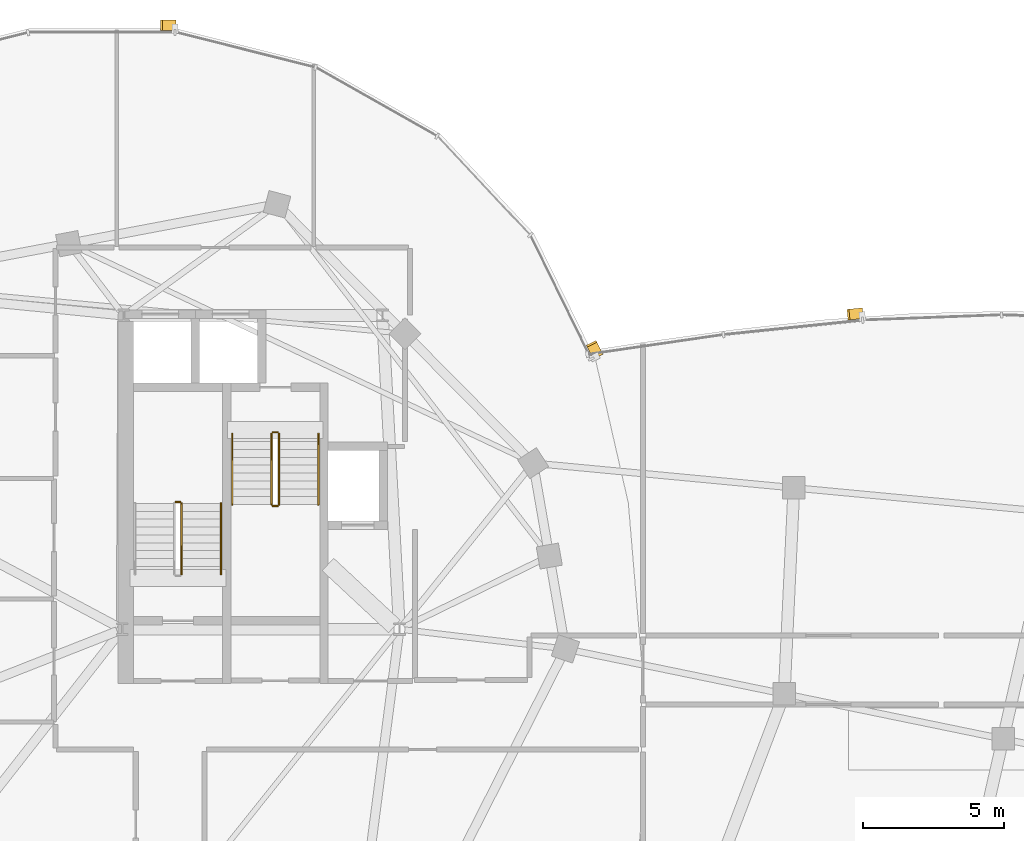
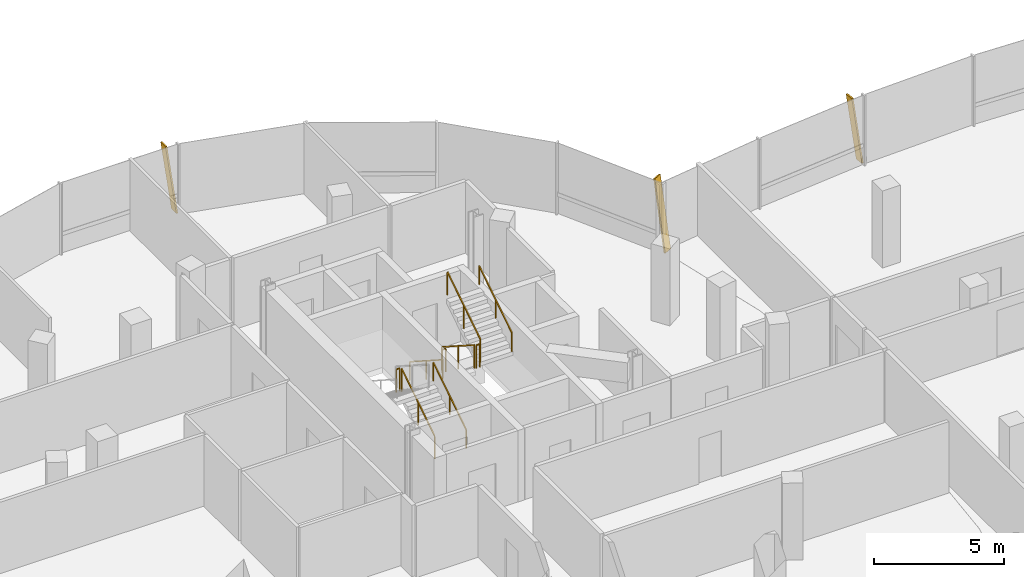
# One storey, part 24 of 26: 9 railings, 3 shading devices.
"""IFC4 building model written with IfcOpenShell, lengths in metres."""

from ifc_helpers import new_model, si_unit, direction, frame, origin, origin_2d, place, context, subcontext, project, spatial, rectangle, extrude, material, material_profile, profile_set, type_object, element, save


model = new_model("IFC4")

# Units and contexts
model_context = context("Model", 3, precision=1e-05, world=origin(), true_north=direction((0.0, 1.0)))
body_context = subcontext(model_context, "Body", "Model", "MODEL_VIEW")
ifc_project = project(units=[si_unit("LENGTHUNIT", "METRE"), si_unit("AREAUNIT", "SQUARE_METRE"), si_unit("VOLUMEUNIT", "CUBIC_METRE"), si_unit("PLANEANGLEUNIT", "RADIAN"), si_unit("MASSUNIT", "GRAM", prefix="KILO"), si_unit("THERMODYNAMICTEMPERATUREUNIT", "KELVIN"), si_unit("POWERUNIT", "WATT")], contexts=[model_context])

# Site, building, storey
site_placement = place(None, origin())
site = spatial("IfcSite", under=ifc_project, at=site_placement, CompositionType="ELEMENT")
building_placement = place(site_placement, origin())
building = spatial("IfcBuilding", under=site, at=building_placement, Name="Cundina Bronze Exchange", CompositionType="ELEMENT")
storey_placement = place(building_placement, frame((0.0, 0.0, 264.800048828125)))
storey = spatial("IfcBuildingStorey", under=building, at=storey_placement, Name="L70", CompositionType="ELEMENT", Elevation=264.800048828125)

# Railings
ifc_material_1 = material(Name="Steel ASTM A36 Painted", Category="steel")
railing_type_1 = type_object("IfcRailingType", Name="RLG-HND-900", PredefinedType="HANDRAIL", material=ifc_material_1)
railing_1_placement = place(storey_placement, frame((-27.7900390625, 5.85009765625, 0.179931640625)))
element("IfcRailing", 1, at=railing_1_placement, inside=storey, type_object=railing_type_1, Name="L70 ST-W1 stair handrail 1", PredefinedType="HANDRAIL", context=body_context, shape_type="SweptSolid", body=[
    extrude(rectangle(XDim=0.048095703125, YDim=0.048095703125, at=origin_2d()), frame((0.0, 0.0, 0.8759765625), z_axis=(0.0, 0.841162588446, 0.540782303519), x_axis=(-1.0, 0.0, 0.0)), (0.0, 0.0, 1.0), 2.995849609375),
    extrude(rectangle(XDim=0.0419921875, YDim=0.0419921875, at=origin_2d()), origin(), (0.0, 0.0, 1.0), 0.851806640625),
    extrude(rectangle(XDim=0.0419921875, YDim=0.0419921875, at=origin_2d()), frame((0.0, 1.260009765625, 0.81005859375)), (0.0, 0.0, 1.0), 0.851806640625),
    extrude(rectangle(XDim=0.0419921875, YDim=0.0419921875, at=origin_2d()), frame((0.0, 2.52001953125, 1.6201171875)), (0.0, 0.0, 1.0), 0.851806640625),
])
railing_2_placement = place(storey_placement, frame((-27.389892578125, 10.85009765625, 0.179931640625)))
element("IfcRailing", 2, at=railing_2_placement, inside=storey, type_object=railing_type_1, Name="L70 ST-W2 stair handrail 1", PredefinedType="HANDRAIL", context=body_context, shape_type="SweptSolid", body=[
    extrude(rectangle(XDim=0.048095703125, YDim=0.048095703125, at=origin_2d()), frame((0.0, 0.0, 0.8759765625), z_axis=(0.0, -0.841162588446, 0.540782303519), x_axis=(1.0, 0.0, 0.0)), (0.0, 0.0, 1.0), 2.995849609375),
    extrude(rectangle(XDim=0.0419921875, YDim=0.0419921875, at=origin_2d()), origin(), (0.0, 0.0, 1.0), 0.851806640625),
    extrude(rectangle(XDim=0.0419921875, YDim=0.0419921875, at=origin_2d()), frame((0.0, -1.260009765625, 0.81005859375)), (0.0, 0.0, 1.0), 0.851806640625),
    extrude(rectangle(XDim=0.0419921875, YDim=0.0419921875, at=origin_2d()), frame((0.0, -2.52001953125, 1.6201171875)), (0.0, 0.0, 1.0), 0.851806640625),
])
railing_3_placement = place(storey_placement, frame((-24.330078125, 8.330078125, 1.97998046875)))
element("IfcRailing", 3, at=railing_3_placement, inside=storey, type_object=railing_type_1, Name="L70 ST-W2 stair handrail 2", PredefinedType="HANDRAIL", context=body_context, shape_type="SweptSolid", body=[
    extrude(rectangle(XDim=0.048095703125, YDim=0.048095703125, at=origin_2d()), frame((0.0, 0.0, 0.8759765625), z_axis=(0.0, 0.841199657755, 0.540724639528), x_axis=(-1.0, 0.0, 0.0)), (0.0, 0.0, 1.0), 2.995849609375),
    extrude(rectangle(XDim=0.0419921875, YDim=0.0419921875, at=origin_2d()), origin(), (0.0, 0.0, 1.0), 0.851806640625),
    extrude(rectangle(XDim=0.0419921875, YDim=0.0419921875, at=origin_2d()), frame((0.0, 1.260009765625, 0.81005859375)), (0.0, 0.0, 1.0), 0.851806640625),
    extrude(rectangle(XDim=0.0419921875, YDim=0.0419921875, at=origin_2d()), frame((0.0, 2.52001953125, 1.619873046875)), (0.0, 0.0, 1.0), 0.851806640625),
])
railing_type_2 = type_object("IfcRailingType", Name="RLG-STG-1100", PredefinedType="GUARDRAIL", material=ifc_material_1)
railing_4_placement = place(storey_placement, frame((-29.18994140625, 5.85009765625, 0.179931640625)))
element("IfcRailing", 4, at=railing_4_placement, inside=storey, type_object=railing_type_2, Name="L70 ST-W1 stair guard 1", PredefinedType="GUARDRAIL", context=body_context, shape_type="SweptSolid", body=[
    extrude(rectangle(XDim=0.048095703125, YDim=0.048095703125, at=origin_2d()), frame((0.0, 0.0, 1.076171875), z_axis=(0.0, 0.841162588446, 0.540782303519), x_axis=(-1.0, 0.0, 0.0)), (0.0, 0.0, 1.0), 2.995849609375),
    extrude(rectangle(XDim=0.0419921875, YDim=0.0419921875, at=origin_2d()), origin(), (0.0, 0.0, 1.0), 1.052001953125),
    extrude(rectangle(XDim=0.0419921875, YDim=0.0419921875, at=origin_2d()), frame((0.0, 1.260009765625, 0.81005859375)), (0.0, 0.0, 1.0), 1.052001953125),
    extrude(rectangle(XDim=0.0419921875, YDim=0.0419921875, at=origin_2d()), frame((0.0, 2.52001953125, 1.6201171875)), (0.0, 0.0, 1.0), 1.052001953125),
])
railing_5_placement = place(storey_placement, frame((-29.239990234375, 8.419921875, 1.800048828125)))
element("IfcRailing", 5, at=railing_5_placement, inside=storey, type_object=railing_type_2, Name="L70 ST-W1 stair guard 2", PredefinedType="GUARDRAIL", context=body_context, shape_type="SweptSolid", body=[
    extrude(rectangle(XDim=0.048095703125, YDim=0.048095703125, at=origin_2d()), frame((0.0, 0.0, 1.076171875), z_axis=(-1.0, 0.0, 0.0), x_axis=(0.0, -1.0, 0.0)), (0.0, 0.0, 1.0), 0.159912109375),
    extrude(rectangle(XDim=0.0419921875, YDim=0.0419921875, at=origin_2d()), origin(), (0.0, 0.0, 1.0), 1.052001953125),
    extrude(rectangle(XDim=0.0419921875, YDim=0.0419921875, at=origin_2d()), frame((-0.159912109375, 0.0, 0.0)), (0.0, 0.0, 1.0), 1.052001953125),
])
railing_6_placement = place(storey_placement, frame((-25.989990234375, 10.85009765625, 0.179931640625)))
element("IfcRailing", 6, at=railing_6_placement, inside=storey, type_object=railing_type_2, Name="L70 ST-W2 stair guard 1", PredefinedType="GUARDRAIL", context=body_context, shape_type="SweptSolid", body=[
    extrude(rectangle(XDim=0.048095703125, YDim=0.048095703125, at=origin_2d()), frame((0.0, 0.0, 1.076171875), z_axis=(0.0, -0.841162588446, 0.540782303519), x_axis=(1.0, 0.0, 0.0)), (0.0, 0.0, 1.0), 2.995849609375),
    extrude(rectangle(XDim=0.0419921875, YDim=0.0419921875, at=origin_2d()), origin(), (0.0, 0.0, 1.0), 1.052001953125),
    extrude(rectangle(XDim=0.0419921875, YDim=0.0419921875, at=origin_2d()), frame((0.0, -1.260009765625, 0.81005859375)), (0.0, 0.0, 1.0), 1.052001953125),
    extrude(rectangle(XDim=0.0419921875, YDim=0.0419921875, at=origin_2d()), frame((0.0, -2.52001953125, 1.6201171875)), (0.0, 0.0, 1.0), 1.052001953125),
])
railing_7_placement = place(storey_placement, frame((-25.93994140625, 8.280029296875, 1.800048828125)))
element("IfcRailing", 7, at=railing_7_placement, inside=storey, type_object=railing_type_2, Name="L70 ST-W2 stair guard 2", PredefinedType="GUARDRAIL", context=body_context, shape_type="SweptSolid", body=[
    extrude(rectangle(XDim=0.048095703125, YDim=0.048095703125, at=origin_2d()), frame((0.0, 0.0, 1.076171875), z_axis=(1.0, 0.0, 0.0), x_axis=(0.0, 1.0, 0.0)), (0.0, 0.0, 1.0), 0.159912109375),
    extrude(rectangle(XDim=0.0419921875, YDim=0.0419921875, at=origin_2d()), origin(), (0.0, 0.0, 1.0), 1.052001953125),
    extrude(rectangle(XDim=0.0419921875, YDim=0.0419921875, at=origin_2d()), frame((0.159912109375, 0.0, 0.0)), (0.0, 0.0, 1.0), 1.052001953125),
])
railing_8_placement = place(storey_placement, frame((-25.72998046875, 8.330078125, 1.97998046875)))
element("IfcRailing", 8, at=railing_8_placement, inside=storey, type_object=railing_type_2, Name="L70 ST-W2 stair guard 3", PredefinedType="GUARDRAIL", context=body_context, shape_type="SweptSolid", body=[
    extrude(rectangle(XDim=0.048095703125, YDim=0.048095703125, at=origin_2d()), frame((0.0, 0.0, 1.076171875), z_axis=(0.0, 0.841199657755, 0.540724639528), x_axis=(-1.0, 0.0, 0.0)), (0.0, 0.0, 1.0), 2.995849609375),
    extrude(rectangle(XDim=0.0419921875, YDim=0.0419921875, at=origin_2d()), origin(), (0.0, 0.0, 1.0), 1.052001953125),
    extrude(rectangle(XDim=0.0419921875, YDim=0.0419921875, at=origin_2d()), frame((0.0, 1.260009765625, 0.81005859375)), (0.0, 0.0, 1.0), 1.052001953125),
    extrude(rectangle(XDim=0.0419921875, YDim=0.0419921875, at=origin_2d()), frame((0.0, 2.52001953125, 1.619873046875)), (0.0, 0.0, 1.0), 1.052001953125),
])
railing_9_placement = place(storey_placement, frame((-25.93994140625, 10.89990234375, 0.0)))
element("IfcRailing", 9, at=railing_9_placement, inside=storey, type_object=railing_type_2, Name="L70 ST-W2 stair guard 4", PredefinedType="GUARDRAIL", context=body_context, shape_type="SweptSolid", body=[
    extrude(rectangle(XDim=0.048095703125, YDim=0.048095703125, at=origin_2d()), frame((0.0, 0.0, 1.076171875), z_axis=(1.0, 0.0, 0.0), x_axis=(0.0, 1.0, 0.0)), (0.0, 0.0, 1.0), 0.159912109375),
    extrude(rectangle(XDim=0.0419921875, YDim=0.0419921875, at=origin_2d()), origin(), (0.0, 0.0, 1.0), 1.052001953125),
    extrude(rectangle(XDim=0.0419921875, YDim=0.0419921875, at=origin_2d()), frame((0.159912109375, 0.0, 0.0)), (0.0, 0.0, 1.0), 1.052001953125),
])

# Shading devices
ifc_material_2 = material(Name="Anodised Bronze Aluminium 6063-T6", Category="aluminium")
ifc_material_profile = material_profile(ifc_material_2, rectangle(XDim=0.070068359375, YDim=0.3798828125, at=origin_2d()), Name="FIN70X380", Category="aluminium")
ifc_profile_set = profile_set([ifc_material_profile], Name="Anodised Bronze Aluminium 6063-T6")
shading_device_type = type_object("IfcShadingDeviceType", Name="SHD-FIN-BRZ380", PredefinedType="USERDEFINED", material=ifc_profile_set)
for number, where, z_axis, x_axis, name in (
    (10, (-14.406494140625, 13.614013671875, 0.02001953125), (-0.063400368732, 0.129216686851, 0.989587510574), (0.435900311632, -0.888411143223, 0.143932480407), "L70 Diagonal Bronze Solar Fin 1"),
    (11, (-29.423583984375, 25.360107421875, 0.02001953125), (-0.143932024572, 0.0, 0.989587576874), (0.989587576874, 0.0, 0.143932024572), "L70 Diagonal Bronze Solar Fin 5"),
):
    element("IfcShadingDevice", number, at=place(storey_placement, frame(where, z_axis=z_axis, x_axis=x_axis)), inside=storey, type_object=shading_device_type, Name=name, ObjectType="FIN", PredefinedType="USERDEFINED", context=body_context, shape_type="SweptSolid", body=[
        extrude(rectangle(XDim=0.070068359375, YDim=0.3798828125, at=origin_2d()), origin(), (0.0, 0.0, 1.0), 3.334716796875),
    ])
shading_device_placement = place(storey_placement, frame((-5.0146484375, 15.12890625, 0.02001953125), z_axis=(-0.145724273631, -0.015056932621, 0.989210657471), x_axis=(0.983972150742, 0.101668733734, 0.14650008582)))
element("IfcShadingDevice", 12, at=shading_device_placement, inside=storey, type_object=shading_device_type, Name="L70 Diagonal Bronze Solar Fin 5", ObjectType="FIN", PredefinedType="USERDEFINED", context=body_context, shape_type="SweptSolid", body=[
    extrude(rectangle(XDim=0.070068359375, YDim=0.3798828125, at=origin_2d()), origin(), (0.0, 0.0, 1.0), 3.275390625),
])

save(model, "model.ifc")
